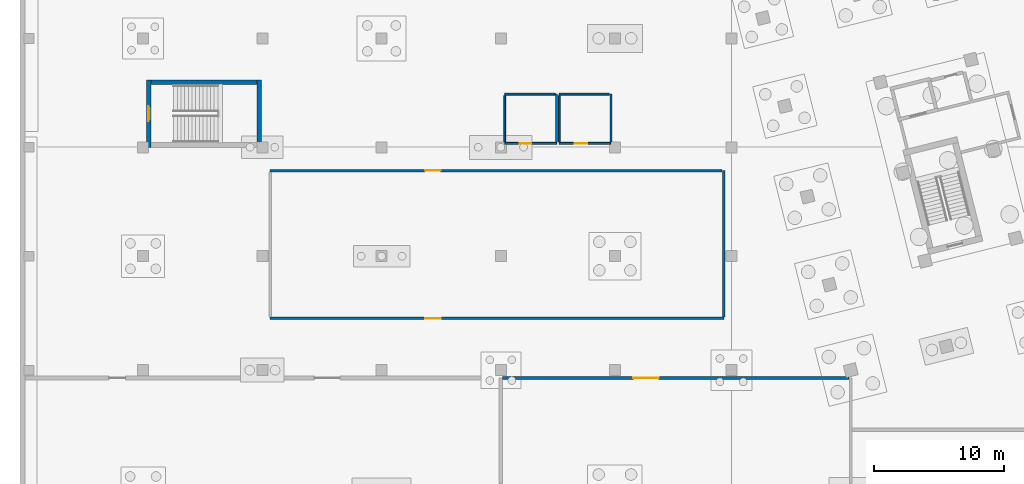
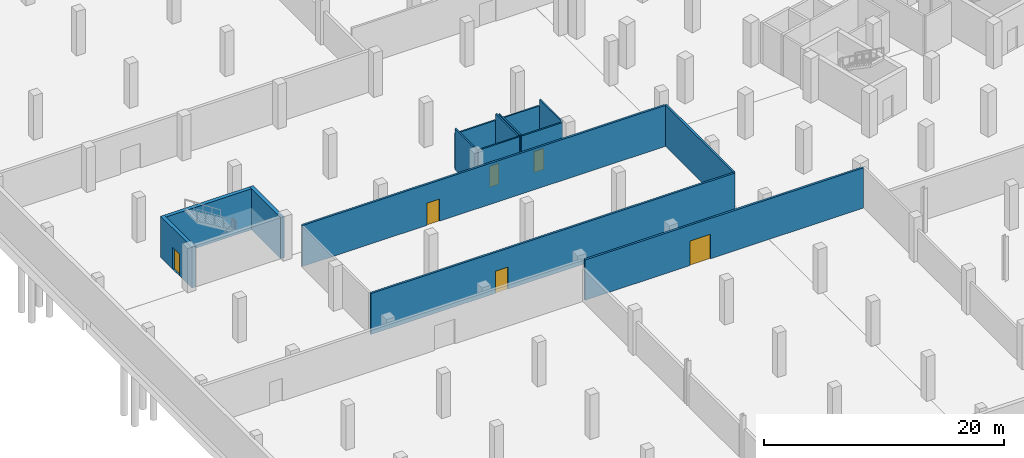
# One storey, part 16 of 29: 15 walls, 6 doors, 6 openings.
"""IFC4 building model written with IfcOpenShell, lengths in metres."""

from ifc_helpers import new_model, si_unit, direction, frame, frame_2d, origin, place, context, subcontext, project, spatial, rectangle, extrude, material, layer, layer_set, type_object, element, fill, save


model = new_model("IFC4")

# Units and contexts
model_context = context("Model", 3, precision=1e-05, world=origin(), true_north=direction((0.0, 1.0)))
body_context = subcontext(model_context, "Body", "Model", "MODEL_VIEW")
ifc_project = project(units=[si_unit("LENGTHUNIT", "METRE"), si_unit("AREAUNIT", "SQUARE_METRE"), si_unit("VOLUMEUNIT", "CUBIC_METRE"), si_unit("PLANEANGLEUNIT", "RADIAN"), si_unit("MASSUNIT", "GRAM", prefix="KILO")], contexts=[model_context])

# Site, building, storey
site_placement = place(None, origin())
site = spatial("IfcSite", under=ifc_project, at=site_placement, CompositionType="ELEMENT")
building_placement = place(site_placement, origin())
building = spatial("IfcBuilding", under=site, at=building_placement, Name="Meriwether Solvik Hall", CompositionType="ELEMENT")
storey_placement = place(building_placement, frame((0.0, 0.0, -9.0)))
storey = spatial("IfcBuildingStorey", under=building, at=storey_placement, Name="B02", CompositionType="ELEMENT", Elevation=-9.0)

# Wall, opening, door
ifc_material_1 = material(Name="Grouted Concrete Masonry Unit Block", Category="masonry")
ifc_layer_1 = layer(ifc_material_1, 0.18994140625)
ifc_layer_set_1 = layer_set([ifc_layer_1], Name="Grouted Concrete Masonry Unit Block")
wall_type_1 = type_object("IfcWallType", Name="WALL-CMU-190", PredefinedType="STANDARD", material=ifc_layer_set_1)
wall_1_placement = place(storey_placement, frame((23.800048828125, 45.199951171875, 0.0), z_axis=(0.0, 0.0, 1.0), x_axis=(1.0, 0.0, 0.0)))
wall_1 = element("IfcWall", 1, at=wall_1_placement, inside=storey, type_object=wall_type_1, Name="B02 Interior Partition west_fnd_s", PredefinedType="STANDARD", context=body_context, shape_type="SweptSolid", body=[
    extrude(rectangle(XDim=35.0, YDim=0.18994140625, at=frame_2d((17.5, 0.0))), origin(), (0.0, 0.0, 1.0), 4.169921875),
])
opening_1_placement = place(wall_1_placement, frame((11.962158203125, 0.0, 0.0)))
opening_1 = element("IfcOpeningElement", 2, at=opening_1_placement, cuts=wall_1, Name="Opening D-141", PredefinedType="OPENING", context=body_context, shape_type="SweptSolid", body=[
    extrude(rectangle(XDim=1.199951171875, YDim=2.25, at=frame_2d((0.60009765625, 1.125))), frame((0.0, 0.10693359375, 0.0), z_axis=(0.0, -1.0, 0.0), x_axis=(1.0, 0.0, 0.0)), (0.0, 0.0, 1.0), 0.2138671875),
])
ifc_material_2 = material(Name="Steel A36 Galvanised", Category="steel")
door_type_1 = type_object("IfcDoorType", Name="DR-FD60-1200L", OperationType="SINGLE_SWING_LEFT", PredefinedType="DOOR", material=ifc_material_2)
door_1_placement = place(opening_1_placement, origin())
door_1 = element("IfcDoor", 3, at=door_1_placement, inside=storey, type_object=door_type_1, Name="West Foundation Inspection Plant Vault Door", OperationType="SINGLE_SWING_LEFT", OverallHeight=2.25, OverallWidth=1.199951171875, PredefinedType="DOOR", context=body_context, shape_type="SweptSolid", body=[
    extrude(rectangle(XDim=1.199951171875, YDim=2.25, at=frame_2d((0.60009765625, 1.125))), frame((0.0, 0.02490234375, 0.0), z_axis=(0.0, -1.0, 0.0), x_axis=(1.0, 0.0, 0.0)), (0.0, 0.0, 1.0), 0.050048828125),
])
fill(opening_1, door_1)

# Wall
wall_2_placement = place(storey_placement, frame((58.800048828125, 45.320068359375, 0.0), z_axis=(0.0, 0.0, 1.0), x_axis=(0.0, 1.0, 0.0)))
element("IfcWall", 4, at=wall_2_placement, inside=storey, type_object=wall_type_1, Name="B02 Interior Partition west_fnd_e", PredefinedType="STANDARD", context=body_context, shape_type="SweptSolid", body=[
    extrude(rectangle(XDim=11.280029296875, YDim=0.18994140625, at=frame_2d((5.64013671875, 0.0))), origin(), (0.0, 0.0, 1.0), 4.169921875),
])

# Wall, opening, door
wall_3_placement = place(storey_placement, frame((58.679931640625, 56.60009765625, 0.0), z_axis=(0.0, 0.0, 1.0), x_axis=(-1.0, 0.0, 0.0)))
wall_3 = element("IfcWall", 5, at=wall_3_placement, inside=storey, type_object=wall_type_1, Name="B02 Interior Partition west_fnd_n", PredefinedType="STANDARD", context=body_context, shape_type="SweptSolid", body=[
    extrude(rectangle(XDim=34.8798828125, YDim=0.18994140625, at=frame_2d((17.43994140625, 0.0))), origin(), (0.0, 0.0, 1.0), 4.169921875),
])
opening_2_placement = place(wall_3_placement, frame((21.718017578125, 0.0, 0.0)))
opening_2 = element("IfcOpeningElement", 6, at=opening_2_placement, cuts=wall_3, Name="Opening D-117", PredefinedType="OPENING", context=body_context, shape_type="SweptSolid", body=[
    extrude(rectangle(XDim=1.199951171875, YDim=2.25, at=frame_2d((0.60009765625, 1.125))), frame((0.0, 0.10693359375, 0.0), z_axis=(0.0, -1.0, 0.0), x_axis=(1.0, 0.0, 0.0)), (0.0, 0.0, 1.0), 0.2138671875),
])
ifc_material_3 = material(Name="Steel A36 Galvanised", Category="steel")
door_type_2 = type_object("IfcDoorType", Name="DR-FD60-1200R", OperationType="SINGLE_SWING_RIGHT", PredefinedType="DOOR", material=ifc_material_3)
door_2_placement = place(opening_2_placement, origin())
door_2 = element("IfcDoor", 7, at=door_2_placement, inside=storey, type_object=door_type_2, Name="West Foundation Inspection Plant Vault Door 1", OperationType="SINGLE_SWING_RIGHT", OverallHeight=2.25, OverallWidth=1.199951171875, PredefinedType="DOOR", context=body_context, shape_type="SweptSolid", body=[
    extrude(rectangle(XDim=1.199951171875, YDim=2.25, at=frame_2d((0.60009765625, 1.125))), frame((0.0, 0.02490234375, 0.0), z_axis=(0.0, -1.0, 0.0), x_axis=(1.0, 0.0, 0.0)), (0.0, 0.0, 1.0), 0.050048828125),
])
fill(opening_2, door_2)

ifc_material_4 = material(Name="Fire-Rated Type X Gypsum Board", Category="gypsum")
ifc_layer_2 = layer(ifc_material_4, 0.199951171875)
ifc_layer_set_2 = layer_set([ifc_layer_2], Name="Fire-Rated Type X Gypsum Board")
wall_type_2 = type_object("IfcWallType", Name="WALL-FIRE-200", PredefinedType="STANDARD", material=ifc_layer_set_2)
wall_4_placement = place(storey_placement, frame((41.719970703125, 40.60009765625, 0.0), z_axis=(0.0, 0.0, 1.0), x_axis=(1.0, 0.0, 0.0)))
wall_4 = element("IfcWall", 8, at=wall_4_placement, inside=storey, type_object=wall_type_2, Name="B02 Interior Partition switch_n", PredefinedType="STANDARD", context=body_context, shape_type="SweptSolid", body=[
    extrude(rectangle(XDim=26.760009765625, YDim=0.199951171875, at=frame_2d((13.3798828125, 0.0))), origin(), (0.0, 0.0, 1.0), 4.10009765625),
])
opening_3_placement = place(wall_4_placement, frame((10.097900390625, 0.0, 0.0)))
opening_3 = element("IfcOpeningElement", 9, at=opening_3_placement, cuts=wall_4, Name="Opening D-116", PredefinedType="OPENING", context=body_context, shape_type="SweptSolid", body=[
    extrude(rectangle(XDim=1.949951171875, YDim=2.5, at=frame_2d((0.97509765625, 1.25))), frame((0.0, 0.11181640625, 0.0), z_axis=(0.0, -1.0, 0.0), x_axis=(1.0, 0.0, 0.0)), (0.0, 0.0, 1.0), 0.223876953125),
])
ifc_material_5 = material(Name="Steel A36 Galvanised", Category="steel")
door_type_3 = type_object("IfcDoorType", Name="DR-FD90-1950", OperationType="DOUBLE_DOOR_SINGLE_SWING", PredefinedType="DOOR", material=ifc_material_5)
door_3_placement = place(opening_3_placement, origin())
door_3 = element("IfcDoor", 10, at=door_3_placement, inside=storey, type_object=door_type_3, Name="Medium Voltage Switchgear Plant Door", OperationType="DOUBLE_DOOR_SINGLE_SWING", OverallHeight=2.5, OverallWidth=1.949951171875, PredefinedType="DOOR", context=body_context, shape_type="SweptSolid", body=[
    extrude(rectangle(XDim=1.949951171875, YDim=2.5, at=frame_2d((0.97509765625, 1.25))), frame((0.0, 0.02490234375, 0.0), z_axis=(0.0, -1.0, 0.0), x_axis=(1.0, 0.0, 0.0)), (0.0, 0.0, 1.0), 0.050048828125),
])
fill(opening_3, door_3)

ifc_material_6 = material(Name="Concrete C40/50", Category="concrete")
ifc_layer_3 = layer(ifc_material_6, 0.35009765625)
ifc_layer_set_3 = layer_set([ifc_layer_3], Name="Concrete C40/50")
wall_type_3 = type_object("IfcWallType", Name="WALL-RC-350", PredefinedType="SHEAR", material=ifc_layer_set_3)
wall_5_placement = place(storey_placement, frame((14.425048828125, 63.60009765625, 0.0), z_axis=(0.0, 0.0, 1.0), x_axis=(0.0, -1.0, 0.0)))
wall_5 = element("IfcWall", 11, at=wall_5_placement, inside=storey, type_object=wall_type_3, Name="CORE-4 Shear Wall W (B02)", PredefinedType="SHEAR", context=body_context, shape_type="SweptSolid", body=[
    extrude(rectangle(XDim=5.2001953125, YDim=0.35009765625, at=frame_2d((2.60009765625, 0.0))), origin(), (0.0, 0.0, 1.0), 4.169921875),
])
opening_4_placement = place(wall_5_placement, frame((2.02490234375, 0.0, 0.0)))
opening_4 = element("IfcOpeningElement", 12, at=opening_4_placement, cuts=wall_5, Name="Opening D-189", PredefinedType="OPENING", context=body_context, shape_type="SweptSolid", body=[
    extrude(rectangle(XDim=1.14990234375, YDim=2.199951171875, at=frame_2d((0.574951171875, 1.10009765625))), frame((0.0, 0.18701171875, 0.0), z_axis=(0.0, -1.0, 0.0), x_axis=(1.0, 0.0, 0.0)), (0.0, 0.0, 1.0), 0.3740234375),
])
ifc_material_7 = material(Name="Steel A36 Galvanised", Category="steel")
door_type_4 = type_object("IfcDoorType", Name="DR-FD90-1150L", OperationType="SINGLE_SWING_LEFT", PredefinedType="DOOR", material=ifc_material_7)
door_4_placement = place(opening_4_placement, origin())
door_4 = element("IfcDoor", 13, at=door_4_placement, inside=storey, type_object=door_type_4, Name="Stair ST-04 Smokeproof Exit Door (B02)", OperationType="SINGLE_SWING_LEFT", OverallHeight=2.199951171875, OverallWidth=1.14990234375, PredefinedType="DOOR", context=body_context, shape_type="SweptSolid", body=[
    extrude(rectangle(XDim=1.14990234375, YDim=2.199951171875, at=frame_2d((0.574951171875, 1.10009765625))), frame((0.0, 0.02490234375, 0.0), z_axis=(0.0, -1.0, 0.0), x_axis=(1.0, 0.0, 0.0)), (0.0, 0.0, 1.0), 0.050048828125),
])
fill(opening_4, door_4)

# Walls
wall_6_placement = place(storey_placement, frame((22.97509765625, 58.39990234375, 0.0), z_axis=(0.0, 0.0, 1.0), x_axis=(0.0, 1.0, 0.0)))
element("IfcWall", 14, at=wall_6_placement, inside=storey, type_object=wall_type_3, Name="CORE-4 Shear Wall E (B02)", PredefinedType="SHEAR", context=body_context, shape_type="SweptSolid", body=[
    extrude(rectangle(XDim=5.2001953125, YDim=0.35009765625, at=frame_2d((2.60009765625, 0.0))), origin(), (0.0, 0.0, 1.0), 4.169921875),
])
wall_7_placement = place(storey_placement, frame((22.7900390625, 63.425048828125, 0.0), z_axis=(0.0, 0.0, 1.0), x_axis=(-1.0, 0.0, 0.0)))
element("IfcWall", 15, at=wall_7_placement, inside=storey, type_object=wall_type_3, Name="CORE-4 Shear Wall N (B02)", PredefinedType="SHEAR", context=body_context, shape_type="SweptSolid", body=[
    extrude(rectangle(XDim=8.179931640625, YDim=0.35009765625, at=frame_2d((4.08984375, 0.0))), origin(), (0.0, 0.0, 1.0), 4.169921875),
])

# Wall, opening, door
ifc_material_8 = material(Name="Moisture-Resistant Gypsum Board", Category="gypsum")
ifc_layer_4 = layer(ifc_material_8, 0.139892578125)
ifc_layer_set_4 = layer_set([ifc_layer_4], Name="Moisture-Resistant Gypsum Board")
wall_type_4 = type_object("IfcWallType", Name="WALL-WET-140", PredefinedType="PLUMBINGWALL", material=ifc_layer_set_4)
wall_8_placement = place(storey_placement, frame((41.920166015625, 58.699951171875, 0.0), z_axis=(0.0, 0.0, 1.0), x_axis=(1.0, 0.0, 0.0)))
wall_8 = element("IfcWall", 16, at=wall_8_placement, inside=storey, type_object=wall_type_4, Name="B02 Interior Partition b02_wc_m_s", PredefinedType="PLUMBINGWALL", context=body_context, shape_type="SweptSolid", body=[
    extrude(rectangle(XDim=3.979736328125, YDim=0.139892578125, at=frame_2d((1.98974609375, 0.0))), origin(), (0.0, 0.0, 1.0), 4.169921875),
])
opening_5_placement = place(wall_8_placement, frame((1.129638671875, 0.0, 0.0)))
opening_5 = element("IfcOpeningElement", 17, at=opening_5_placement, cuts=wall_8, Name="Opening D-174", PredefinedType="OPENING", context=body_context, shape_type="SweptSolid", body=[
    extrude(rectangle(XDim=0.89990234375, YDim=2.14990234375, at=frame_2d((0.449951171875, 1.074951171875))), frame((0.0, 0.08203125, 0.0), z_axis=(0.0, -1.0, 0.0), x_axis=(1.0, 0.0, 0.0)), (0.0, 0.0, 1.0), 0.163818359375),
])
ifc_material_9 = material(Name="Solid-Core Rift White Oak Timber", Category="wood")
door_type_5 = type_object("IfcDoorType", Name="DR-WC-900L", OperationType="SINGLE_SWING_LEFT", PredefinedType="DOOR", material=ifc_material_9)
door_5_placement = place(opening_5_placement, origin())
door_5 = element("IfcDoor", 18, at=door_5_placement, inside=storey, type_object=door_type_5, Name="B02 Plant Staff Restroom Door", OperationType="SINGLE_SWING_LEFT", OverallHeight=2.14990234375, OverallWidth=0.89990234375, PredefinedType="DOOR", context=body_context, shape_type="SweptSolid", body=[
    extrude(rectangle(XDim=0.89990234375, YDim=2.14990234375, at=frame_2d((0.449951171875, 1.074951171875))), frame((0.0, 0.02490234375, 0.0), z_axis=(0.0, -1.0, 0.0), x_axis=(1.0, 0.0, 0.0)), (0.0, 0.0, 1.0), 0.050048828125),
])
fill(opening_5, door_5)

# Walls
wall_9_placement = place(storey_placement, frame((45.89990234375, 58.820068359375, 0.0), z_axis=(0.0, 0.0, 1.0), x_axis=(0.0, 1.0, 0.0)))
element("IfcWall", 19, at=wall_9_placement, inside=storey, type_object=wall_type_4, Name="B02 Interior Partition b02_wc_m_e", PredefinedType="PLUMBINGWALL", context=body_context, shape_type="SweptSolid", body=[
    extrude(rectangle(XDim=3.679931640625, YDim=0.139892578125, at=frame_2d((1.83984375, 0.0))), origin(), (0.0, 0.0, 1.0), 4.169921875),
])
wall_10_placement = place(storey_placement, frame((45.780029296875, 62.5, 0.0), z_axis=(0.0, 0.0, 1.0), x_axis=(-1.0, 0.0, 0.0)))
element("IfcWall", 20, at=wall_10_placement, inside=storey, type_object=wall_type_4, Name="B02 Interior Partition b02_wc_m_n", PredefinedType="PLUMBINGWALL", context=body_context, shape_type="SweptSolid", body=[
    extrude(rectangle(XDim=3.880126953125, YDim=0.139892578125, at=frame_2d((1.93994140625, 0.0))), origin(), (0.0, 0.0, 1.0), 3.570068359375),
])
wall_11_placement = place(storey_placement, frame((41.89990234375, 62.3798828125, 0.0), z_axis=(0.0, 0.0, 1.0), x_axis=(0.0, -1.0, 0.0)))
element("IfcWall", 21, at=wall_11_placement, inside=storey, type_object=wall_type_4, Name="B02 Interior Partition b02_wc_m_w", PredefinedType="PLUMBINGWALL", context=body_context, shape_type="SweptSolid", body=[
    extrude(rectangle(XDim=3.559814453125, YDim=0.139892578125, at=frame_2d((1.77978515625, 0.0))), origin(), (0.0, 0.0, 1.0), 4.169921875),
])

# Wall, opening, door
wall_12_placement = place(storey_placement, frame((46.10009765625, 58.699951171875, 0.0), z_axis=(0.0, 0.0, 1.0), x_axis=(1.0, 0.0, 0.0)))
wall_12 = element("IfcWall", 22, at=wall_12_placement, inside=storey, type_object=wall_type_4, Name="B02 Interior Partition b02_wc_a_s", PredefinedType="PLUMBINGWALL", context=body_context, shape_type="SweptSolid", body=[
    extrude(rectangle(XDim=3.979736328125, YDim=0.139892578125, at=frame_2d((1.98974609375, 0.0))), origin(), (0.0, 0.0, 1.0), 4.169921875),
])
opening_6_placement = place(wall_12_placement, frame((1.183349609375, 0.0, 0.0)))
opening_6 = element("IfcOpeningElement", 23, at=opening_6_placement, cuts=wall_12, Name="Opening D-140", PredefinedType="OPENING", context=body_context, shape_type="SweptSolid", body=[
    extrude(rectangle(XDim=1.0, YDim=2.14990234375, at=frame_2d((0.5, 1.074951171875))), frame((0.0, 0.08203125, 0.0), z_axis=(0.0, -1.0, 0.0), x_axis=(1.0, 0.0, 0.0)), (0.0, 0.0, 1.0), 0.163818359375),
])
ifc_material_10 = material(Name="Solid-Core Rift White Oak Timber", Category="wood")
door_type_6 = type_object("IfcDoorType", Name="DR-ACC-1000L", OperationType="SINGLE_SWING_LEFT", PredefinedType="DOOR", material=ifc_material_10)
door_6_placement = place(opening_6_placement, origin())
door_6 = element("IfcDoor", 24, at=door_6_placement, inside=storey, type_object=door_type_6, Name="B02 Plant Accessible WC Door", OperationType="SINGLE_SWING_LEFT", OverallHeight=2.14990234375, OverallWidth=1.0, PredefinedType="DOOR", context=body_context, shape_type="SweptSolid", body=[
    extrude(rectangle(XDim=1.0, YDim=2.14990234375, at=frame_2d((0.5, 1.074951171875))), frame((0.0, 0.02490234375, 0.0), z_axis=(0.0, -1.0, 0.0), x_axis=(1.0, 0.0, 0.0)), (0.0, 0.0, 1.0), 0.050048828125),
])
fill(opening_6, door_6)

# Walls
wall_13_placement = place(storey_placement, frame((50.10009765625, 58.820068359375, 0.0), z_axis=(0.0, 0.0, 1.0), x_axis=(0.0, 1.0, 0.0)))
element("IfcWall", 25, at=wall_13_placement, inside=storey, type_object=wall_type_4, Name="B02 Interior Partition b02_wc_a_e", PredefinedType="PLUMBINGWALL", context=body_context, shape_type="SweptSolid", body=[
    extrude(rectangle(XDim=3.679931640625, YDim=0.139892578125, at=frame_2d((1.83984375, 0.0))), origin(), (0.0, 0.0, 1.0), 4.169921875),
])
wall_14_placement = place(storey_placement, frame((49.97998046875, 62.5, 0.0), z_axis=(0.0, 0.0, 1.0), x_axis=(-1.0, 0.0, 0.0)))
element("IfcWall", 26, at=wall_14_placement, inside=storey, type_object=wall_type_4, Name="B02 Interior Partition b02_wc_a_n", PredefinedType="PLUMBINGWALL", context=body_context, shape_type="SweptSolid", body=[
    extrude(rectangle(XDim=3.8798828125, YDim=0.139892578125, at=frame_2d((1.93994140625, 0.0))), origin(), (0.0, 0.0, 1.0), 3.570068359375),
])
wall_15_placement = place(storey_placement, frame((46.10009765625, 62.3798828125, 0.0), z_axis=(0.0, 0.0, 1.0), x_axis=(0.0, -1.0, 0.0)))
element("IfcWall", 27, at=wall_15_placement, inside=storey, type_object=wall_type_4, Name="B02 Interior Partition b02_wc_a_w", PredefinedType="PLUMBINGWALL", context=body_context, shape_type="SweptSolid", body=[
    extrude(rectangle(XDim=3.559814453125, YDim=0.139892578125, at=frame_2d((1.77978515625, 0.0))), origin(), (0.0, 0.0, 1.0), 4.169921875),
])

save(model, "model.ifc")
